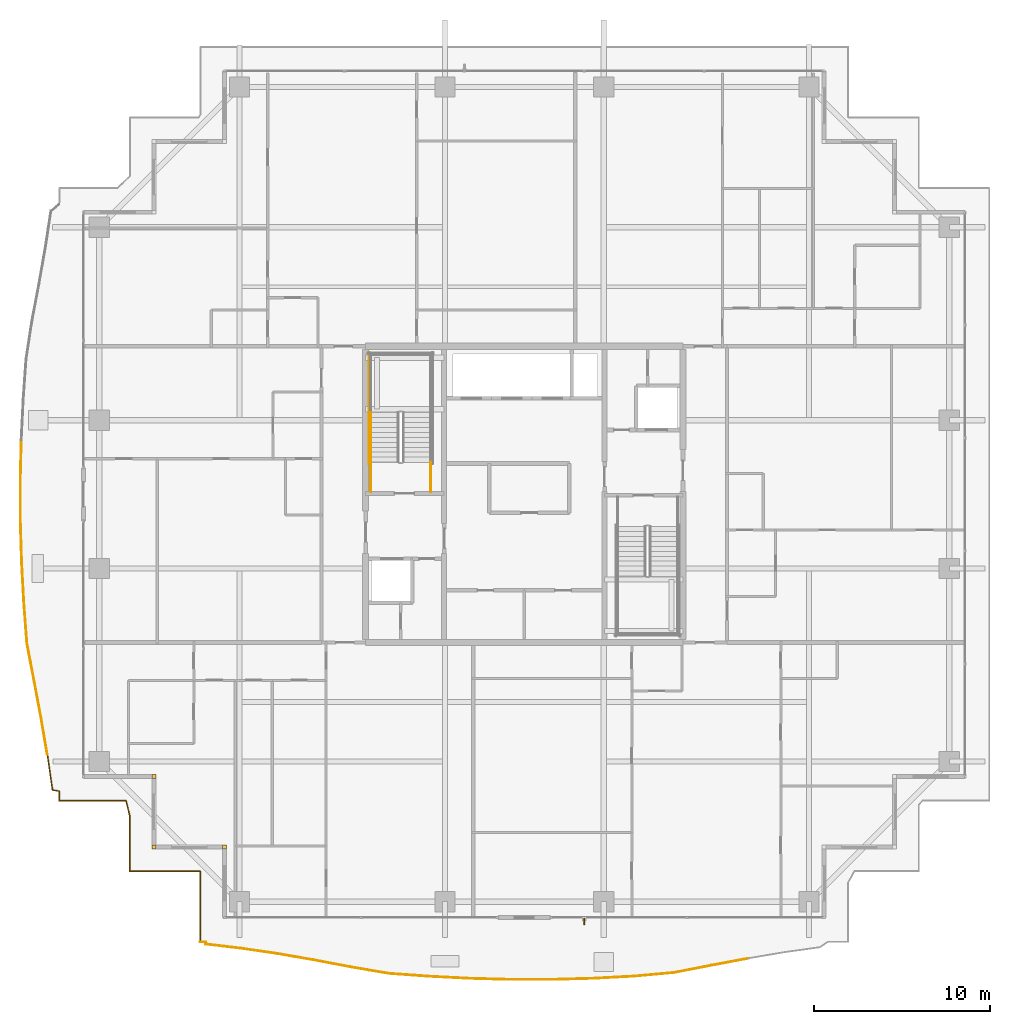
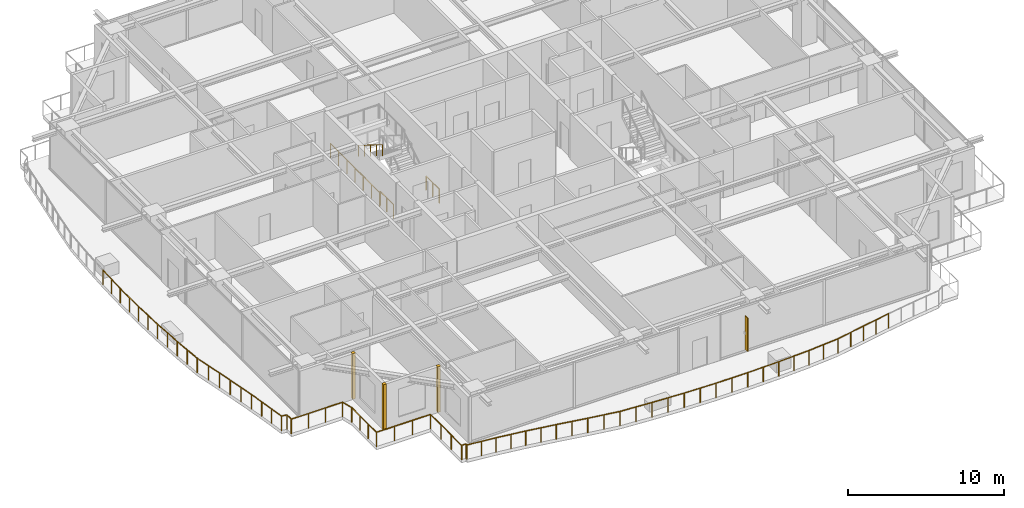
# One storey, part 32 of 37: 8 railings, 3 coverings, 1 shading device.
"""IFC4 building model written with IfcOpenShell, lengths in metres."""

from ifc_helpers import new_model, si_unit, direction, frame, origin, origin_2d, place, context, subcontext, project, spatial, rectangle, circle, extrude, source, transform, mapped, material, layer, layer_set, type_object, element, save


model = new_model("IFC4")

# Units and contexts
model_context = context("Model", 3, precision=1e-05, world=origin(), true_north=direction((0.0, 1.0)))
body_context = subcontext(model_context, "Body", "Model", "MODEL_VIEW")
ifc_project = project(units=[si_unit("LENGTHUNIT", "METRE"), si_unit("AREAUNIT", "SQUARE_METRE"), si_unit("VOLUMEUNIT", "CUBIC_METRE"), si_unit("PLANEANGLEUNIT", "RADIAN"), si_unit("MASSUNIT", "GRAM", prefix="KILO")], contexts=[model_context])

# Site, building, storey
site_placement = place(None, origin())
site = spatial("IfcSite", under=ifc_project, at=site_placement, CompositionType="ELEMENT")
building_placement = place(site_placement, origin())
building = spatial("IfcBuilding", under=site, at=building_placement, Name="Serunith Strait Residences", CompositionType="ELEMENT")
storey_placement = place(building_placement, frame((0.0, 0.0, 218.14990234375)))
storey = spatial("IfcBuildingStorey", under=building, at=storey_placement, Name="L54", CompositionType="ELEMENT", Elevation=218.14990234375)

# Railings
ifc_material_1 = material(Name="Stainless Steel & Laminated Glass Balustrade", Category="steel")
railing_type_1 = type_object("IfcRailingType", Name="RLG-BALC-1150", PredefinedType="BALUSTRADE", material=ifc_material_1)
railing_1_placement = place(storey_placement, frame((14.02001953125, -0.179931640625, -0.0498046875)))
element("IfcRailing", 1, at=railing_1_placement, inside=storey, type_object=railing_type_1, Name="L54 Swirling Balcony Perimeter Balustrade 1", PredefinedType="BALUSTRADE", context=body_context, shape_type="SweptSolid", body=[
    extrude(circle(Radius=0.02392578125, at=origin_2d()), frame((0.0, 0.001953125, 1.1259765625), z_axis=(0.0, 1.0, 0.0), x_axis=(-1.0, 0.0, 0.0)), (0.0, 0.0, 1.0), 3.99609375),
    extrude(circle(Radius=0.02392578125, at=origin_2d()), frame((-0.001953125, 4.0, 1.1259765625), z_axis=(-1.0, 0.0, 0.0), x_axis=(0.0, -1.0, 0.0)), (0.0, 0.0, 1.0), 3.99609375),
    extrude(circle(Radius=0.02392578125, at=origin_2d()), frame((-4.0, 4.001953125, 1.1259765625), z_axis=(0.0, 1.0, 0.0), x_axis=(-1.0, 0.0, 0.0)), (0.0, 0.0, 1.0), 3.164306640625),
    extrude(circle(Radius=0.02392578125, at=origin_2d()), frame((-4.00048828125, 7.170166015625, 1.1259765625), z_axis=(-0.238845398988, 0.971057606624, 0.0), x_axis=(-0.971057606624, -0.238845398988, 0.0)), (0.0, 0.0, 1.0), 0.8525390625),
    extrude(circle(Radius=0.02392578125, at=origin_2d()), frame((-4.20654296875, 8.0, 1.1259765625), z_axis=(-1.0, 0.0, 0.0), x_axis=(0.0, -1.0, 0.0)), (0.0, 0.0, 1.0), 3.79150390625),
    extrude(circle(Radius=0.02392578125, at=origin_2d()), frame((-8.0, 8.001953125, 1.1259765625), z_axis=(0.0, 1.0, 0.0), x_axis=(-1.0, 0.0, 0.0)), (0.0, 0.0, 1.0), 0.546142578125),
    extrude(circle(Radius=0.02392578125, at=origin_2d()), frame((-8.001953125, 8.55029296875, 1.1259765625), z_axis=(-0.986359280714, 0.164606711132, 0.0), x_axis=(-0.164606711132, -0.986359280714, 0.0)), (0.0, 0.0, 1.0), 0.377197265625),
    extrude(circle(Radius=0.02392578125, at=origin_2d()), frame((-8.376220703125, 8.61474609375, 1.1259765625), z_axis=(-0.14240644301, 0.989808266782, 0.0), x_axis=(-0.989808266782, -0.14240644301, 0.0)), (0.0, 0.0, 1.0), 2.04296875),
    extrude(circle(Radius=0.02099609375, at=origin_2d()), origin(), (0.0, 0.0, 1.0), 1.099853515625),
    extrude(circle(Radius=0.02099609375, at=origin_2d()), frame((0.0, 1.333251953125, 0.0)), (0.0, 0.0, 1.0), 1.099853515625),
    extrude(circle(Radius=0.02099609375, at=origin_2d()), frame((0.0, 2.666748046875, 0.0)), (0.0, 0.0, 1.0), 1.099853515625),
    extrude(circle(Radius=0.02099609375, at=origin_2d()), frame((0.0, 4.0, 0.0)), (0.0, 0.0, 1.0), 1.099853515625),
    extrude(circle(Radius=0.02099609375, at=origin_2d()), frame((-1.333251953125, 4.0, 0.0)), (0.0, 0.0, 1.0), 1.099853515625),
    extrude(circle(Radius=0.02099609375, at=origin_2d()), frame((-2.666748046875, 4.0, 0.0)), (0.0, 0.0, 1.0), 1.099853515625),
    extrude(circle(Radius=0.02099609375, at=origin_2d()), frame((-4.0, 4.0, 0.0)), (0.0, 0.0, 1.0), 1.099853515625),
    extrude(circle(Radius=0.02099609375, at=origin_2d()), frame((-4.0, 5.05615234375, 0.0)), (0.0, 0.0, 1.0), 1.099853515625),
    extrude(circle(Radius=0.02099609375, at=origin_2d()), frame((-4.0, 6.112060546875, 0.0)), (0.0, 0.0, 1.0), 1.099853515625),
    extrude(circle(Radius=0.02099609375, at=origin_2d()), frame((-4.0, 7.168212890625, 0.0)), (0.0, 0.0, 1.0), 1.099853515625),
    extrude(circle(Radius=0.02099609375, at=origin_2d()), frame((-4.20458984375, 8.0, 0.0)), (0.0, 0.0, 1.0), 1.099853515625),
    extrude(circle(Radius=0.02099609375, at=origin_2d()), frame((-5.4697265625, 8.0, 0.0)), (0.0, 0.0, 1.0), 1.099853515625),
    extrude(circle(Radius=0.02099609375, at=origin_2d()), frame((-6.73486328125, 8.0, 0.0)), (0.0, 0.0, 1.0), 1.099853515625),
    extrude(circle(Radius=0.02099609375, at=origin_2d()), frame((-8.0, 8.0, 0.0)), (0.0, 0.0, 1.0), 1.099853515625),
    extrude(circle(Radius=0.02099609375, at=origin_2d()), frame((-8.0, 8.550048828125, 0.0)), (0.0, 0.0, 1.0), 1.099853515625),
    extrude(circle(Radius=0.02099609375, at=origin_2d()), frame((-8.3759765625, 8.61279296875, 0.0)), (0.0, 0.0, 1.0), 1.099853515625),
    extrude(circle(Radius=0.02099609375, at=origin_2d()), frame((-8.521728515625, 9.6259765625, 0.0)), (0.0, 0.0, 1.0), 1.099853515625),
    extrude(circle(Radius=0.02099609375, at=origin_2d()), frame((-8.66748046875, 10.638916015625, 0.0)), (0.0, 0.0, 1.0), 1.099853515625),
])
railing_2_placement = place(storey_placement, frame((5.3525390625, 10.458984375, -0.0498046875)))
element("IfcRailing", 2, at=railing_2_placement, inside=storey, type_object=railing_type_1, Name="L54 Swirling Balcony Perimeter Balustrade 2", PredefinedType="BALUSTRADE", context=body_context, shape_type="SweptSolid", body=[
    extrude(circle(Radius=0.02392578125, at=origin_2d()), frame((-0.000244140625, 0.001953125, 1.1259765625), z_axis=(-0.16700947295, 0.985955291048, 0.0), x_axis=(-0.985955291048, -0.16700947295, 0.0)), (0.0, 0.0, 1.0), 2.0732421875),
    extrude(circle(Radius=0.02392578125, at=origin_2d()), frame((-0.347412109375, 2.050048828125, 1.1259765625), z_axis=(-0.184344047009, 0.982861776819, 0.0), x_axis=(-0.982861776819, -0.184344047009, 0.0)), (0.0, 0.0, 1.0), 2.120361328125),
    extrude(circle(Radius=0.02392578125, at=origin_2d()), frame((-0.739013671875, 4.137939453125, 1.1259765625), z_axis=(-0.18759984741, 0.982245538168, 0.0), x_axis=(-0.982245538168, -0.18759984741, 0.0)), (0.0, 0.0, 1.0), 2.18115234375),
    extrude(circle(Radius=0.02392578125, at=origin_2d()), frame((-1.148681640625, 6.2841796875, 1.1259765625), z_axis=(-0.07663896105, 0.997058909819, 0.0), x_axis=(-0.997058909819, -0.07663896105, 0.0)), (0.0, 0.0, 1.0), 2.267333984375),
    extrude(circle(Radius=0.02392578125, at=origin_2d()), frame((-1.322509765625, 8.548828125, 1.1259765625), z_axis=(-0.054483708604, 0.99851465963, 0.0), x_axis=(-0.99851465963, -0.054483708604, 0.0)), (0.0, 0.0, 1.0), 2.29931640625),
    extrude(circle(Radius=0.02392578125, at=origin_2d()), frame((-1.447998046875, 10.8486328125, 1.1259765625), z_axis=(-0.030146023543, 0.99954550535, 0.0), x_axis=(-0.99954550535, -0.030146023543, 0.0)), (0.0, 0.0, 1.0), 2.3203125),
    extrude(circle(Radius=0.02392578125, at=origin_2d()), frame((-1.51806640625, 13.171875, 1.1259765625), z_axis=(-0.003244018092, 0.999994738159, 0.0), x_axis=(-0.999994738159, -0.003244018092, 0.0)), (0.0, 0.0, 1.0), 2.3291015625),
    extrude(circle(Radius=0.02392578125, at=origin_2d()), frame((-1.525634765625, 15.5048828125, 1.1259765625), z_axis=(0.023805273414, 0.999716614325, 0.0), x_axis=(-0.999716614325, 0.023805273414, 0.0)), (0.0, 0.0, 1.0), 2.323974609375),
    extrude(circle(Radius=0.02099609375, at=origin_2d()), origin(), (0.0, 0.0, 1.0), 1.099853515625),
    extrude(circle(Radius=0.02099609375, at=origin_2d()), frame((-0.17333984375, 1.02392578125, 0.0)), (0.0, 0.0, 1.0), 1.099853515625),
    extrude(circle(Radius=0.02099609375, at=origin_2d()), frame((-0.346923828125, 2.048095703125, 0.0)), (0.0, 0.0, 1.0), 1.099853515625),
    extrude(circle(Radius=0.02099609375, at=origin_2d()), frame((-0.542724609375, 3.092041015625, 0.0)), (0.0, 0.0, 1.0), 1.099853515625),
    extrude(circle(Radius=0.02099609375, at=origin_2d()), frame((-0.738525390625, 4.135986328125, 0.0)), (0.0, 0.0, 1.0), 1.099853515625),
    extrude(circle(Radius=0.02099609375, at=origin_2d()), frame((-0.943359375, 5.208984375, 0.0)), (0.0, 0.0, 1.0), 1.099853515625),
    extrude(circle(Radius=0.02099609375, at=origin_2d()), frame((-1.1484375, 6.2822265625, 0.0)), (0.0, 0.0, 1.0), 1.099853515625),
    extrude(circle(Radius=0.02099609375, at=origin_2d()), frame((-1.2353515625, 7.41455078125, 0.0)), (0.0, 0.0, 1.0), 1.099853515625),
    extrude(circle(Radius=0.02099609375, at=origin_2d()), frame((-1.322509765625, 8.546875, 0.0)), (0.0, 0.0, 1.0), 1.099853515625),
    extrude(circle(Radius=0.02099609375, at=origin_2d()), frame((-1.38525390625, 9.69677734375, 0.0)), (0.0, 0.0, 1.0), 1.099853515625),
    extrude(circle(Radius=0.02099609375, at=origin_2d()), frame((-1.447998046875, 10.8466796875, 0.0)), (0.0, 0.0, 1.0), 1.099853515625),
    extrude(circle(Radius=0.02099609375, at=origin_2d()), frame((-1.48291015625, 12.00830078125, 0.0)), (0.0, 0.0, 1.0), 1.099853515625),
    extrude(circle(Radius=0.02099609375, at=origin_2d()), frame((-1.51806640625, 13.169921875, 0.0)), (0.0, 0.0, 1.0), 1.099853515625),
    extrude(circle(Radius=0.02099609375, at=origin_2d()), frame((-1.52197265625, 14.33642578125, 0.0)), (0.0, 0.0, 1.0), 1.099853515625),
    extrude(circle(Radius=0.02099609375, at=origin_2d()), frame((-1.525634765625, 15.5029296875, 0.0)), (0.0, 0.0, 1.0), 1.099853515625),
    extrude(circle(Radius=0.02099609375, at=origin_2d()), frame((-1.498046875, 16.66650390625, 0.0)), (0.0, 0.0, 1.0), 1.099853515625),
    extrude(circle(Radius=0.02099609375, at=origin_2d()), frame((-1.47021484375, 17.830322265625, 0.0)), (0.0, 0.0, 1.0), 1.099853515625),
])
railing_3_placement = place(storey_placement, frame((45.101318359375, -1.1162109375, -0.0498046875)))
element("IfcRailing", 3, at=railing_3_placement, inside=storey, type_object=railing_type_1, Name="L54 Swirling Balcony Perimeter Balustrade 7", PredefinedType="BALUSTRADE", context=body_context, shape_type="SweptSolid", body=[
    extrude(circle(Radius=0.02392578125, at=origin_2d()), frame((-0.001953125, -0.00048828125, 1.1259765625), z_axis=(-0.982762478457, -0.184872688458, 0.0), x_axis=(0.184872688458, -0.982762478457, 0.0)), (0.0, 0.0, 1.0), 2.115478515625),
    extrude(circle(Radius=0.02392578125, at=origin_2d()), frame((-2.0849609375, -0.392333984375, 1.1259765625), z_axis=(-0.981767055406, -0.190088003092, 0.0), x_axis=(0.190088003092, -0.981767055406, 0.0)), (0.0, 0.0, 1.0), 2.17822265625),
    extrude(circle(Radius=0.02392578125, at=origin_2d()), frame((-4.227294921875, -0.806884765625, 1.1259765625), z_axis=(-0.995891443202, -0.090555139868, 0.0), x_axis=(0.090555139868, -0.995891443202, 0.0)), (0.0, 0.0, 1.0), 2.26611328125),
    extrude(circle(Radius=0.02392578125, at=origin_2d()), frame((-6.488037109375, -1.01220703125, 1.1259765625), z_axis=(-0.998614616736, -0.052619836963, 0.0), x_axis=(0.052619836963, -0.998614616736, 0.0)), (0.0, 0.0, 1.0), 2.306640625),
    extrude(circle(Radius=0.02392578125, at=origin_2d()), frame((-8.79541015625, -1.1337890625, 1.1259765625), z_axis=(-0.999621009945, -0.027528829907, 0.0), x_axis=(0.027528829907, -0.999621009945, 0.0)), (0.0, 0.0, 1.0), 2.328369140625),
    extrude(circle(Radius=0.02392578125, at=origin_2d()), frame((-11.126953125, -1.197998046875, 1.1259765625), z_axis=(-0.99999997824, -0.000208615829, 0.0), x_axis=(0.000208615829, -0.99999997824, 0.0)), (0.0, 0.0, 1.0), 2.336669921875),
    extrude(circle(Radius=0.02392578125, at=origin_2d()), frame((-13.467529296875, -1.198486328125, 1.1259765625), z_axis=(-0.999641580629, 0.026771445197, 0.0), x_axis=(-0.026771445197, -0.999641580629, 0.0)), (0.0, 0.0, 1.0), 2.33056640625),
    extrude(circle(Radius=0.02392578125, at=origin_2d()), frame((-15.80126953125, -1.135986328125, 1.1259765625), z_axis=(-0.998685449425, 0.051257907743, 0.0), x_axis=(-0.051257907743, -0.998685449425, 0.0)), (0.0, 0.0, 1.0), 2.310791015625),
    extrude(circle(Radius=0.02099609375, at=origin_2d()), origin(), (0.0, 0.0, 1.0), 1.099853515625),
    extrude(circle(Radius=0.02099609375, at=origin_2d()), frame((-1.04150390625, -0.19580078125, 0.0)), (0.0, 0.0, 1.0), 1.099853515625),
    extrude(circle(Radius=0.02099609375, at=origin_2d()), frame((-2.0830078125, -0.391845703125, 0.0)), (0.0, 0.0, 1.0), 1.099853515625),
    extrude(circle(Radius=0.02099609375, at=origin_2d()), frame((-3.154296875, -0.59912109375, 0.0)), (0.0, 0.0, 1.0), 1.099853515625),
    extrude(circle(Radius=0.02099609375, at=origin_2d()), frame((-4.225341796875, -0.806640625, 0.0)), (0.0, 0.0, 1.0), 1.099853515625),
    extrude(circle(Radius=0.02099609375, at=origin_2d()), frame((-5.355712890625, -0.909423828125, 0.0)), (0.0, 0.0, 1.0), 1.099853515625),
    extrude(circle(Radius=0.02099609375, at=origin_2d()), frame((-6.486083984375, -1.01220703125, 0.0)), (0.0, 0.0, 1.0), 1.099853515625),
    extrude(circle(Radius=0.02099609375, at=origin_2d()), frame((-7.6396484375, -1.072998046875, 0.0)), (0.0, 0.0, 1.0), 1.099853515625),
    extrude(circle(Radius=0.02099609375, at=origin_2d()), frame((-8.79345703125, -1.1337890625, 0.0)), (0.0, 0.0, 1.0), 1.099853515625),
    extrude(circle(Radius=0.02099609375, at=origin_2d()), frame((-9.959228515625, -1.166015625, 0.0)), (0.0, 0.0, 1.0), 1.099853515625),
    extrude(circle(Radius=0.02099609375, at=origin_2d()), frame((-11.125, -1.197998046875, 0.0)), (0.0, 0.0, 1.0), 1.099853515625),
    extrude(circle(Radius=0.02099609375, at=origin_2d()), frame((-12.29541015625, -1.1982421875, 0.0)), (0.0, 0.0, 1.0), 1.099853515625),
    extrude(circle(Radius=0.02099609375, at=origin_2d()), frame((-13.465576171875, -1.198486328125, 0.0)), (0.0, 0.0, 1.0), 1.099853515625),
    extrude(circle(Radius=0.02099609375, at=origin_2d()), frame((-14.63232421875, -1.167236328125, 0.0)), (0.0, 0.0, 1.0), 1.099853515625),
    extrude(circle(Radius=0.02099609375, at=origin_2d()), frame((-15.79931640625, -1.135986328125, 0.0)), (0.0, 0.0, 1.0), 1.099853515625),
    extrude(circle(Radius=0.02099609375, at=origin_2d()), frame((-16.955078125, -1.07666015625, 0.0)), (0.0, 0.0, 1.0), 1.099853515625),
    extrude(circle(Radius=0.02099609375, at=origin_2d()), frame((-18.111083984375, -1.017333984375, 0.0)), (0.0, 0.0, 1.0), 1.099853515625),
])
railing_4_placement = place(storey_placement, frame((26.990234375, -2.133544921875, -0.0498046875)))
element("IfcRailing", 4, at=railing_4_placement, inside=storey, type_object=railing_type_1, Name="L54 Swirling Balcony Perimeter Balustrade 8", PredefinedType="BALUSTRADE", context=body_context, shape_type="SweptSolid", body=[
    extrude(circle(Radius=0.02392578125, at=origin_2d()), frame((-0.001953125, 0.000244140625, 1.1259765625), z_axis=(-0.997441858144, 0.071482442753, 0.0), x_axis=(-0.071482442753, -0.997441858144, 0.0)), (0.0, 0.0, 1.0), 2.281005859375),
    extrude(circle(Radius=0.02392578125, at=origin_2d()), frame((-2.281005859375, 0.16357421875, 1.1259765625), z_axis=(-0.985577457974, 0.169224922318, 0.0), x_axis=(-0.169224922318, -0.985577457974, 0.0)), (0.0, 0.0, 1.0), 2.201904296875),
    extrude(circle(Radius=0.02392578125, at=origin_2d()), frame((-4.455078125, 0.537109375, 1.1259765625), z_axis=(-0.982433461632, 0.186613218895, 0.0), x_axis=(-0.186613218895, -0.982433461632, 0.0)), (0.0, 0.0, 1.0), 2.13232421875),
    extrude(circle(Radius=0.02392578125, at=origin_2d()), frame((-6.553955078125, 0.935546875, 1.1259765625), z_axis=(-0.985444564324, 0.169997090103, 0.0), x_axis=(-0.169997090103, -0.985444564324, 0.0)), (0.0, 0.0, 1.0), 2.081298828125),
    extrude(circle(Radius=0.02392578125, at=origin_2d()), frame((-8.60888671875, 1.2900390625, 1.1259765625), z_axis=(-0.989441095224, 0.144935568729, 0.0), x_axis=(-0.144935568729, -0.989441095224, 0.0)), (0.0, 0.0, 1.0), 2.047607421875),
    extrude(circle(Radius=0.02392578125, at=origin_2d()), frame((-10.638916015625, 1.58740234375, 1.1259765625), z_axis=(-0.99304950371, 0.117697422151, 0.0), x_axis=(-0.117697422151, -0.99304950371, 0.0)), (0.0, 0.0, 1.0), 2.031005859375),
    extrude(circle(Radius=0.02392578125, at=origin_2d()), frame((-12.65771484375, 1.82861328125, 1.1259765625), z_axis=(0.007692080119, 0.999970415514, 0.0), x_axis=(-0.999970415514, 0.007692080119, 0.0)), (0.0, 0.0, 1.0), 0.123046875),
    extrude(circle(Radius=0.02392578125, at=origin_2d()), frame((-12.65869140625, 1.95361328125, 1.1259765625), z_axis=(-1.0, 0.0, 0.0), x_axis=(0.0, -1.0, 0.0)), (0.0, 0.0, 1.0), 0.3095703125),
    extrude(circle(Radius=0.02099609375, at=origin_2d()), origin(), (0.0, 0.0, 1.0), 1.099853515625),
    extrude(circle(Radius=0.02099609375, at=origin_2d()), frame((-1.1396484375, 0.08154296875, 0.0)), (0.0, 0.0, 1.0), 1.099853515625),
    extrude(circle(Radius=0.02099609375, at=origin_2d()), frame((-2.279052734375, 0.163330078125, 0.0)), (0.0, 0.0, 1.0), 1.099853515625),
    extrude(circle(Radius=0.02099609375, at=origin_2d()), frame((-3.3662109375, 0.35009765625, 0.0)), (0.0, 0.0, 1.0), 1.099853515625),
    extrude(circle(Radius=0.02099609375, at=origin_2d()), frame((-4.453125, 0.53662109375, 0.0)), (0.0, 0.0, 1.0), 1.099853515625),
    extrude(circle(Radius=0.02099609375, at=origin_2d()), frame((-5.50244140625, 0.73583984375, 0.0)), (0.0, 0.0, 1.0), 1.099853515625),
    extrude(circle(Radius=0.02099609375, at=origin_2d()), frame((-6.552001953125, 0.935302734375, 0.0)), (0.0, 0.0, 1.0), 1.099853515625),
    extrude(circle(Radius=0.02099609375, at=origin_2d()), frame((-7.57958984375, 1.112548828125, 0.0)), (0.0, 0.0, 1.0), 1.099853515625),
    extrude(circle(Radius=0.02099609375, at=origin_2d()), frame((-8.60693359375, 1.289794921875, 0.0)), (0.0, 0.0, 1.0), 1.099853515625),
    extrude(circle(Radius=0.02099609375, at=origin_2d()), frame((-9.6220703125, 1.4384765625, 0.0)), (0.0, 0.0, 1.0), 1.099853515625),
    extrude(circle(Radius=0.02099609375, at=origin_2d()), frame((-10.636962890625, 1.587158203125, 0.0)), (0.0, 0.0, 1.0), 1.099853515625),
    extrude(circle(Radius=0.02099609375, at=origin_2d()), frame((-11.6474609375, 1.70703125, 0.0)), (0.0, 0.0, 1.0), 1.099853515625),
    extrude(circle(Radius=0.02099609375, at=origin_2d()), frame((-12.65771484375, 1.82666015625, 0.0)), (0.0, 0.0, 1.0), 1.099853515625),
    extrude(circle(Radius=0.02099609375, at=origin_2d()), frame((-12.65673828125, 1.95361328125, 0.0)), (0.0, 0.0, 1.0), 1.099853515625),
    extrude(circle(Radius=0.02099609375, at=origin_2d()), frame((-12.97021484375, 1.95361328125, 0.0)), (0.0, 0.0, 1.0), 1.099853515625),
])
ifc_material_2 = material(Name="Brushed stainless steel 316L", Category="steel")
railing_type_2 = type_object("IfcRailingType", Name="RLG-STAIR-GUARD", PredefinedType="BALUSTRADE", material=ifc_material_2)
for number, where, name in (
    (5, (27.10009765625, 25.35009765625, 0.0), "L54 ST-1 stair guard 8"),
    (6, (23.699951171875, 25.35009765625, 0.0), "L54 ST-1 stair guard 9"),
):
    element("IfcRailing", number, at=place(storey_placement, frame(where)), inside=storey, type_object=railing_type_2, Name=name, PredefinedType="BALUSTRADE", context=body_context, shape_type="SweptSolid", body=[
        extrude(circle(Radius=0.02392578125, at=origin_2d()), frame((0.0, 0.001953125, 1.076171875), z_axis=(0.0, 1.0, 0.0), x_axis=(-1.0, 0.0, 0.0)), (0.0, 0.0, 1.0), 1.676025390625),
        extrude(circle(Radius=0.02099609375, at=origin_2d()), origin(), (0.0, 0.0, 1.0), 1.050048828125),
        extrude(circle(Radius=0.02099609375, at=origin_2d()), frame((0.0, 0.83984375, 0.0)), (0.0, 0.0, 1.0), 1.050048828125),
        extrude(circle(Radius=0.02099609375, at=origin_2d()), frame((0.0, 1.679931640625, 0.0)), (0.0, 0.0, 1.0), 1.050048828125),
    ])
railing_5_placement = place(storey_placement, frame((23.60009765625, 26.929931640625, 0.0)))
element("IfcRailing", 7, at=railing_5_placement, inside=storey, type_object=railing_type_2, Name="L54 ST-1 stair guard 11", PredefinedType="BALUSTRADE", context=body_context, shape_type="SweptSolid", body=[
    extrude(circle(Radius=0.02392578125, at=origin_2d()), frame((0.0, 0.001953125, 1.076171875), z_axis=(0.0, 1.0, 0.0), x_axis=(-1.0, 0.0, 0.0)), (0.0, 0.0, 1.0), 6.316162109375),
    extrude(circle(Radius=0.02099609375, at=origin_2d()), origin(), (0.0, 0.0, 1.0), 1.050048828125),
    extrude(circle(Radius=0.02099609375, at=origin_2d()), frame((0.0, 1.05322265625, 0.0)), (0.0, 0.0, 1.0), 1.050048828125),
    extrude(circle(Radius=0.02099609375, at=origin_2d()), frame((0.0, 2.106689453125, 0.0)), (0.0, 0.0, 1.0), 1.050048828125),
    extrude(circle(Radius=0.02099609375, at=origin_2d()), frame((0.0, 3.16015625, 0.0)), (0.0, 0.0, 1.0), 1.050048828125),
    extrude(circle(Radius=0.02099609375, at=origin_2d()), frame((0.0, 4.21337890625, 0.0)), (0.0, 0.0, 1.0), 1.050048828125),
    extrude(circle(Radius=0.02099609375, at=origin_2d()), frame((0.0, 5.2666015625, 0.0)), (0.0, 0.0, 1.0), 1.050048828125),
    extrude(circle(Radius=0.02099609375, at=origin_2d()), frame((0.0, 6.320068359375, 0.0)), (0.0, 0.0, 1.0), 1.050048828125),
])
railing_type_3 = type_object("IfcRailingType", Name="RLG-STAIR-HR", PredefinedType="HANDRAIL", material=ifc_material_2)
railing_6_placement = place(storey_placement, frame((23.699951171875, 29.830078125, 2.10009765625)))
element("IfcRailing", 8, at=railing_6_placement, inside=storey, type_object=railing_type_3, Name="L54 ST-1 stair handrail 2", PredefinedType="HANDRAIL", context=body_context, shape_type="SweptSolid", body=[
    extrude(circle(Radius=0.02392578125, at=origin_2d()), frame((0.0, -0.001708984375, 0.876953125), z_axis=(0.0, -0.847393994688, 0.530964610654), x_axis=(1.0, 0.0, 0.0)), (0.0, 0.0, 1.0), 3.630859375),
    extrude(circle(Radius=0.02099609375, at=origin_2d()), origin(), (0.0, 0.0, 1.0), 0.849853515625),
    extrude(circle(Radius=0.02099609375, at=origin_2d()), frame((0.0, -0.77001953125, 0.482421875)), (0.0, 0.0, 1.0), 0.849853515625),
    extrude(circle(Radius=0.02099609375, at=origin_2d()), frame((0.0, -1.5400390625, 0.96484375)), (0.0, 0.0, 1.0), 0.849853515625),
    extrude(circle(Radius=0.02099609375, at=origin_2d()), frame((0.0, -2.31005859375, 1.447509765625)), (0.0, 0.0, 1.0), 0.849853515625),
    extrude(circle(Radius=0.02099609375, at=origin_2d()), frame((0.0, -3.080078125, 1.929931640625)), (0.0, 0.0, 1.0), 0.849853515625),
])

# Shading device
ifc_material_3 = material(Name="Pale-Champagne Perforated Aluminium Fin", Category="aluminium")
shading_device_type = type_object("IfcShadingDeviceType", Name="SHD-DIAG-FIN", PredefinedType="AWNING", material=ifc_material_3)
shared_shape_1 = source(origin(), body_context, "Body", "SweptSolid", [
    extrude(rectangle(XDim=0.080078125, YDim=0.35009765625, at=origin_2d()), origin(), (0.0, 0.0, 1.0), 2.60009765625),
])
shading_device_placement = place(storey_placement, frame((35.800048828125, 0.97998046875, 0.199951171875), z_axis=(0.0, 0.0, 1.0), x_axis=(1.0, 0.0, 0.0)))
element("IfcShadingDevice", 9, at=shading_device_placement, inside=storey, type_object=shading_device_type, Name="L54 Diagonal Rhythm Solar Fin S", PredefinedType="AWNING", context=body_context, shape_type="MappedRepresentation", body=[
    mapped(shared_shape_1, transform((0.0, 0.0, 0.0), scale=1.0)),
])

# Coverings
ifc_material_4 = material(Name="Pale-Champagne Anodised Aluminium", Category="aluminium")
ifc_layer = layer(ifc_material_4, 0.219970703125, Name="Pale-Champagne Anodised Aluminium")
ifc_layer_set = layer_set([ifc_layer], Name="Pale-Champagne Anodised Aluminium")
covering_type = type_object("IfcCoveringType", Name="COV-CORN-TRIM", PredefinedType="CLADDING", material=ifc_layer_set)
shared_shape_2 = source(origin(), body_context, "Body", "SweptSolid", [
    extrude(rectangle(XDim=0.221923828125, YDim=0.221923828125, at=origin_2d()), origin(), (0.0, 0.0, 1.0), 3.574951171875),
])
for number, where, z_axis, x_axis, name in (
    (10, (11.39990234375, 9.199951171875, 0.0), (0.0, 0.0, 1.0), (1.0, 0.0, 0.0), "L54 Girih Serrated Corner Trim Post 17"),
    (11, (11.39990234375, 5.199951171875, 0.0), (0.0, 0.0, 1.0), (1.0, 0.0, 0.0), "L54 Girih Serrated Corner Trim Post 18"),
    (12, (15.39990234375, 5.199951171875, 0.0), (0.0, 0.0, 1.0), (1.0, 0.0, 0.0), "L54 Girih Serrated Corner Trim Post 19"),
):
    element("IfcCovering", number, at=place(storey_placement, frame(where, z_axis=z_axis, x_axis=x_axis)), inside=storey, type_object=covering_type, Name=name, PredefinedType="CLADDING", context=body_context, shape_type="MappedRepresentation", body=[
        mapped(shared_shape_2, transform((0.0, 0.0, 0.0), scale=1.0)),
    ])

save(model, "model.ifc")
